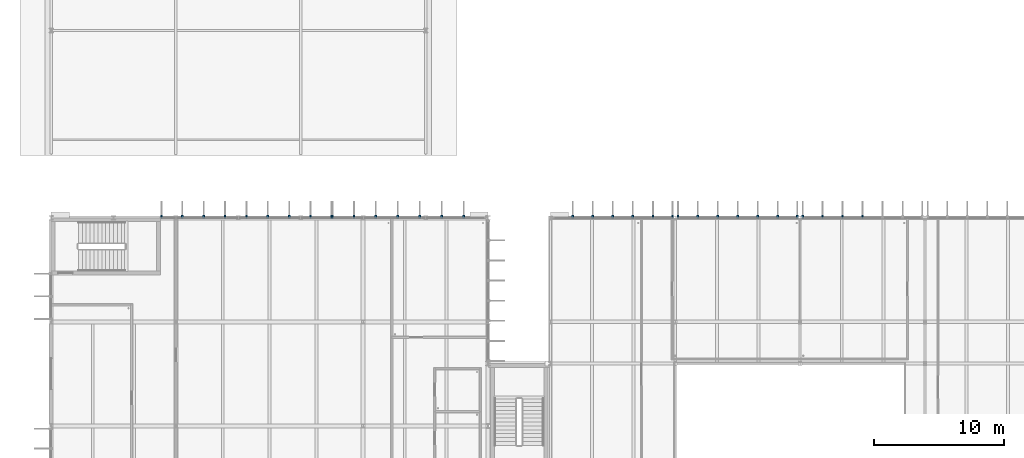
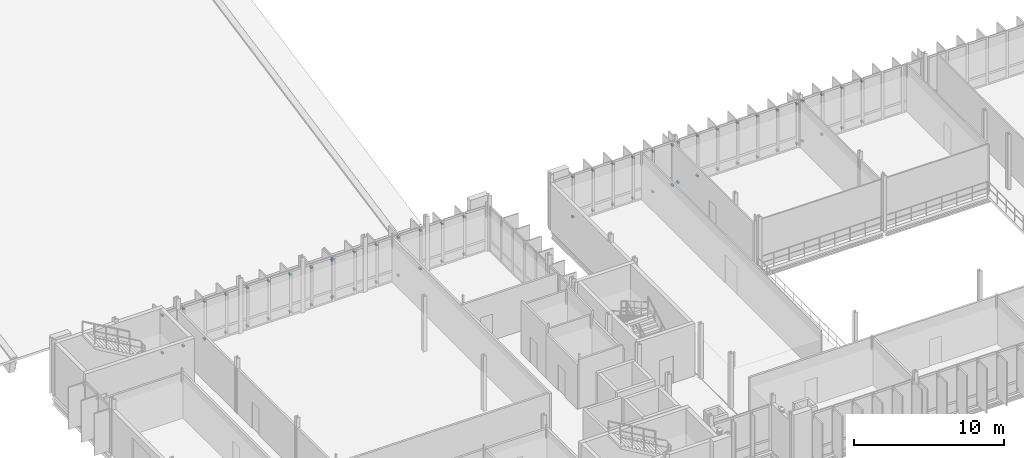
# One storey, part 52 of 59: 66 discrete accessories.
"""IFC4 building model written with IfcOpenShell, lengths in metres."""

from ifc_helpers import new_model, si_unit, direction, frame, origin, origin_2d, place, context, subcontext, project, spatial, rectangle, extrude, material, type_object, element, save


model = new_model("IFC4")

# Units and contexts
model_context = context("Model", 3, precision=1e-05, world=origin(), true_north=direction((0.0, 1.0)))
body_context = subcontext(model_context, "Body", "Model", "MODEL_VIEW")
ifc_project = project(units=[si_unit("LENGTHUNIT", "METRE"), si_unit("AREAUNIT", "SQUARE_METRE"), si_unit("VOLUMEUNIT", "CUBIC_METRE"), si_unit("PLANEANGLEUNIT", "RADIAN"), si_unit("MASSUNIT", "GRAM", prefix="KILO")], contexts=[model_context])

# Site, building, storey
site_placement = place(None, origin())
site = spatial("IfcSite", under=ifc_project, at=site_placement, CompositionType="ELEMENT")
building_placement = place(site_placement, origin())
building = spatial("IfcBuilding", under=site, at=building_placement, Name="Dunescarp Central Library", CompositionType="ELEMENT")
storey_placement = place(building_placement, frame((0.0, 0.0, 18.60009765625)))
storey = spatial("IfcBuildingStorey", under=building, at=storey_placement, Name="L04", CompositionType="ELEMENT", Elevation=18.60009765625)

# Discrete accessories
ifc_material = material(Name="Stainless steel Grade 316L", Category="steel")
discrete_accessory_type = type_object("IfcDiscreteAccessoryType", Name="ARC-ACC-BRK", PredefinedType="BRACKET", material=ifc_material)
for number, where, z_axis, x_axis, name in (
    (1, (21.639892578125, 36.8798828125, 0.27685546875), (0.0, 0.0, 1.0), (0.0, 1.0, 0.0), "Fin bracket BRK-FIN-L04-0179-B"),
    (2, (21.639892578125, 36.8798828125, 3.3349609375), (0.0, 0.0, 1.0), (0.0, 1.0, 0.0), "Fin bracket BRK-FIN-L04-0179-T"),
    (3, (23.2890625, 36.8798828125, 0.2900390625), (0.0, 0.0, 1.0), (0.0, 1.0, 0.0), "Fin bracket BRK-FIN-L04-0180-B"),
    (4, (23.2890625, 36.8798828125, 3.3349609375), (0.0, 0.0, 1.0), (0.0, 1.0, 0.0), "Fin bracket BRK-FIN-L04-0180-T"),
    (5, (24.97900390625, 36.8798828125, 0.27392578125), (0.0, 0.0, 1.0), (0.0, 1.0, 0.0), "Fin bracket BRK-FIN-L04-0181-B"),
    (6, (24.97900390625, 36.8798828125, 3.3349609375), (0.0, 0.0, 1.0), (0.0, 1.0, 0.0), "Fin bracket BRK-FIN-L04-0181-T"),
    (7, (26.66796875, 36.8798828125, 0.23291015625), (0.0, 0.0, 1.0), (0.0, 1.0, 0.0), "Fin bracket BRK-FIN-L04-0182-B"),
    (8, (26.66796875, 36.8798828125, 3.3349609375), (0.0, 0.0, 1.0), (0.0, 1.0, 0.0), "Fin bracket BRK-FIN-L04-0182-T"),
    (9, (28.35693359375, 36.8798828125, 0.18994140625), (0.0, 0.0, 1.0), (0.0, 1.0, 0.0), "Fin bracket BRK-FIN-L04-0183-B"),
    (10, (28.35693359375, 36.8798828125, 3.32373046875), (0.0, 0.0, 1.0), (0.0, 1.0, 0.0), "Fin bracket BRK-FIN-L04-0183-T"),
    (11, (30.0458984375, 36.8798828125, 0.18994140625), (0.0, 0.0, 1.0), (0.0, 1.0, 0.0), "Fin bracket BRK-FIN-L04-0184-B"),
    (12, (30.0458984375, 36.8798828125, 3.27392578125), (0.0, 0.0, 1.0), (0.0, 1.0, 0.0), "Fin bracket BRK-FIN-L04-0184-T"),
    (13, (31.736083984375, 36.8798828125, 0.18994140625), (0.0, 0.0, 1.0), (0.0, 1.0, 0.0), "Fin bracket BRK-FIN-L04-0185-B"),
    (14, (31.736083984375, 36.8798828125, 3.24072265625), (0.0, 0.0, 1.0), (0.0, 1.0, 0.0), "Fin bracket BRK-FIN-L04-0185-T"),
    (15, (8.489990234375, 36.8798828125, 0.27685546875), (0.0, 0.0, 1.0), (0.0, 1.0, 0.0), "Fin bracket BRK-FIN-L04-0186-B"),
    (16, (8.489990234375, 36.8798828125, 3.3349609375), (0.0, 0.0, 1.0), (0.0, 1.0, 0.0), "Fin bracket BRK-FIN-L04-0186-T"),
    (17, (10.093994140625, 36.8798828125, 0.2900390625), (0.0, 0.0, 1.0), (0.0, 1.0, 0.0), "Fin bracket BRK-FIN-L04-0187-B"),
    (18, (10.093994140625, 36.8798828125, 3.3349609375), (0.0, 0.0, 1.0), (0.0, 1.0, 0.0), "Fin bracket BRK-FIN-L04-0187-T"),
    (19, (11.738037109375, 36.8798828125, 0.27392578125), (0.0, 0.0, 1.0), (0.0, 1.0, 0.0), "Fin bracket BRK-FIN-L04-0188-B"),
    (20, (11.738037109375, 36.8798828125, 3.3349609375), (0.0, 0.0, 1.0), (0.0, 1.0, 0.0), "Fin bracket BRK-FIN-L04-0188-T"),
    (21, (13.381103515625, 36.8798828125, 0.23291015625), (0.0, 0.0, 1.0), (0.0, 1.0, 0.0), "Fin bracket BRK-FIN-L04-0189-B"),
    (22, (13.381103515625, 36.8798828125, 3.3349609375), (0.0, 0.0, 1.0), (0.0, 1.0, 0.0), "Fin bracket BRK-FIN-L04-0189-T"),
    (23, (15.02490234375, 36.8798828125, 0.18994140625), (0.0, 0.0, 1.0), (0.0, 1.0, 0.0), "Fin bracket BRK-FIN-L04-0190-B"),
    (24, (15.02490234375, 36.8798828125, 3.32373046875), (0.0, 0.0, 1.0), (0.0, 1.0, 0.0), "Fin bracket BRK-FIN-L04-0190-T"),
    (25, (16.6689453125, 36.8798828125, 0.18994140625), (0.0, 0.0, 1.0), (0.0, 1.0, 0.0), "Fin bracket BRK-FIN-L04-0191-B"),
    (26, (16.6689453125, 36.8798828125, 3.27392578125), (0.0, 0.0, 1.0), (0.0, 1.0, 0.0), "Fin bracket BRK-FIN-L04-0191-T"),
    (27, (18.31201171875, 36.8798828125, 0.18994140625), (0.0, 0.0, 1.0), (0.0, 1.0, 0.0), "Fin bracket BRK-FIN-L04-0192-B"),
    (28, (18.31201171875, 36.8798828125, 3.24072265625), (0.0, 0.0, 1.0), (0.0, 1.0, 0.0), "Fin bracket BRK-FIN-L04-0192-T"),
    (29, (19.9560546875, 36.8798828125, 0.18994140625), (0.0, 0.0, 1.0), (0.0, 1.0, 0.0), "Fin bracket BRK-FIN-L04-0193-B"),
    (30, (19.9560546875, 36.8798828125, 3.23681640625), (0.0, 0.0, 1.0), (0.0, 1.0, 0.0), "Fin bracket BRK-FIN-L04-0193-T"),
    (31, (21.56005859375, 36.8798828125, 0.18994140625), (0.0, 0.0, 1.0), (0.0, 1.0, 0.0), "Fin bracket BRK-FIN-L04-0194-B"),
    (32, (21.56005859375, 36.8798828125, 3.2607421875), (0.0, 0.0, 1.0), (0.0, 1.0, 0.0), "Fin bracket BRK-FIN-L04-0194-T"),
    (33, (40.116943359375, 36.8798828125, 0.2900390625), (0.0, 0.0, 1.0), (0.0, 1.0, 0.0), "Fin bracket BRK-FIN-L04-0484-B"),
    (34, (40.116943359375, 36.8798828125, 3.548828125), (0.0, 0.0, 1.0), (0.0, 1.0, 0.0), "Fin bracket BRK-FIN-L04-0484-T"),
    (35, (41.657958984375, 36.8798828125, 0.27392578125), (0.0, 0.0, 1.0), (0.0, 1.0, 0.0), "Fin bracket BRK-FIN-L04-0485-B"),
    (36, (41.657958984375, 36.8798828125, 3.548828125), (0.0, 0.0, 1.0), (0.0, 1.0, 0.0), "Fin bracket BRK-FIN-L04-0485-T"),
    (37, (43.199951171875, 36.8798828125, 0.23291015625), (0.0, 0.0, 1.0), (0.0, 1.0, 0.0), "Fin bracket BRK-FIN-L04-0486-B"),
    (38, (43.199951171875, 36.8798828125, 3.548828125), (0.0, 0.0, 1.0), (0.0, 1.0, 0.0), "Fin bracket BRK-FIN-L04-0486-T"),
    (39, (44.741943359375, 36.8798828125, 0.18994140625), (0.0, 0.0, 1.0), (0.0, 1.0, 0.0), "Fin bracket BRK-FIN-L04-0487-B"),
    (40, (44.741943359375, 36.8798828125, 3.5380859375), (0.0, 0.0, 1.0), (0.0, 1.0, 0.0), "Fin bracket BRK-FIN-L04-0487-T"),
    (41, (46.282958984375, 36.8798828125, 0.18994140625), (0.0, 0.0, 1.0), (0.0, 1.0, 0.0), "Fin bracket BRK-FIN-L04-0488-B"),
    (42, (46.282958984375, 36.8798828125, 3.48779296875), (0.0, 0.0, 1.0), (0.0, 1.0, 0.0), "Fin bracket BRK-FIN-L04-0488-T"),
    (43, (47.784912109375, 36.8798828125, 0.18994140625), (0.0, 0.0, 1.0), (0.0, 1.0, 0.0), "Fin bracket BRK-FIN-L04-0489-B"),
    (44, (47.784912109375, 36.8798828125, 3.455078125), (0.0, 0.0, 1.0), (0.0, 1.0, 0.0), "Fin bracket BRK-FIN-L04-0489-T"),
    (45, (48.215087890625, 36.8798828125, 0.27685546875), (0.0, 0.0, 1.0), (0.0, 1.0, 0.0), "Fin bracket BRK-FIN-L04-0490-B"),
    (46, (48.215087890625, 36.8798828125, 3.548828125), (0.0, 0.0, 1.0), (0.0, 1.0, 0.0), "Fin bracket BRK-FIN-L04-0490-T"),
    (47, (49.717041015625, 36.8798828125, 0.2900390625), (0.0, 0.0, 1.0), (0.0, 1.0, 0.0), "Fin bracket BRK-FIN-L04-0491-B"),
    (48, (49.717041015625, 36.8798828125, 3.548828125), (0.0, 0.0, 1.0), (0.0, 1.0, 0.0), "Fin bracket BRK-FIN-L04-0491-T"),
    (49, (51.258056640625, 36.8798828125, 0.27392578125), (0.0, 0.0, 1.0), (0.0, 1.0, 0.0), "Fin bracket BRK-FIN-L04-0492-B"),
    (50, (51.258056640625, 36.8798828125, 3.548828125), (0.0, 0.0, 1.0), (0.0, 1.0, 0.0), "Fin bracket BRK-FIN-L04-0492-T"),
    (51, (52.800048828125, 36.8798828125, 0.23291015625), (0.0, 0.0, 1.0), (0.0, 1.0, 0.0), "Fin bracket BRK-FIN-L04-0493-B"),
    (52, (52.800048828125, 36.8798828125, 3.548828125), (0.0, 0.0, 1.0), (0.0, 1.0, 0.0), "Fin bracket BRK-FIN-L04-0493-T"),
    (53, (54.342041015625, 36.8798828125, 0.18994140625), (0.0, 0.0, 1.0), (0.0, 1.0, 0.0), "Fin bracket BRK-FIN-L04-0494-B"),
    (54, (54.342041015625, 36.8798828125, 3.5380859375), (0.0, 0.0, 1.0), (0.0, 1.0, 0.0), "Fin bracket BRK-FIN-L04-0494-T"),
    (55, (55.883056640625, 36.8798828125, 0.18994140625), (0.0, 0.0, 1.0), (0.0, 1.0, 0.0), "Fin bracket BRK-FIN-L04-0495-B"),
    (56, (55.883056640625, 36.8798828125, 3.48779296875), (0.0, 0.0, 1.0), (0.0, 1.0, 0.0), "Fin bracket BRK-FIN-L04-0495-T"),
    (57, (57.385009765625, 36.8798828125, 0.18994140625), (0.0, 0.0, 1.0), (0.0, 1.0, 0.0), "Fin bracket BRK-FIN-L04-0496-B"),
    (58, (57.385009765625, 36.8798828125, 3.455078125), (0.0, 0.0, 1.0), (0.0, 1.0, 0.0), "Fin bracket BRK-FIN-L04-0496-T"),
    (59, (57.81494140625, 36.8798828125, 0.27685546875), (0.0, 0.0, 1.0), (0.0, 1.0, 0.0), "Fin bracket BRK-FIN-L04-0497-B"),
    (60, (57.81494140625, 36.8798828125, 3.548828125), (0.0, 0.0, 1.0), (0.0, 1.0, 0.0), "Fin bracket BRK-FIN-L04-0497-T"),
    (61, (59.31689453125, 36.8798828125, 0.2900390625), (0.0, 0.0, 1.0), (0.0, 1.0, 0.0), "Fin bracket BRK-FIN-L04-0498-B"),
    (62, (59.31689453125, 36.8798828125, 3.548828125), (0.0, 0.0, 1.0), (0.0, 1.0, 0.0), "Fin bracket BRK-FIN-L04-0498-T"),
    (63, (60.85791015625, 36.8798828125, 0.27392578125), (0.0, 0.0, 1.0), (0.0, 1.0, 0.0), "Fin bracket BRK-FIN-L04-0499-B"),
    (64, (60.85791015625, 36.8798828125, 3.548828125), (0.0, 0.0, 1.0), (0.0, 1.0, 0.0), "Fin bracket BRK-FIN-L04-0499-T"),
    (65, (62.39990234375, 36.8798828125, 0.23291015625), (0.0, 0.0, 1.0), (0.0, 1.0, 0.0), "Fin bracket BRK-FIN-L04-0500-B"),
    (66, (62.39990234375, 36.8798828125, 3.548828125), (0.0, 0.0, 1.0), (0.0, 1.0, 0.0), "Fin bracket BRK-FIN-L04-0500-T"),
):
    element("IfcDiscreteAccessory", number, at=place(storey_placement, frame(where, z_axis=z_axis, x_axis=x_axis)), inside=storey, type_object=discrete_accessory_type, Name=name, PredefinedType="BRACKET", context=body_context, shape_type="SweptSolid", body=[
        extrude(rectangle(XDim=0.219970703125, YDim=0.139892578125, at=origin_2d()), origin(), (0.0, 0.0, 1.0), 0.139892578125),
    ])

save(model, "model.ifc")
